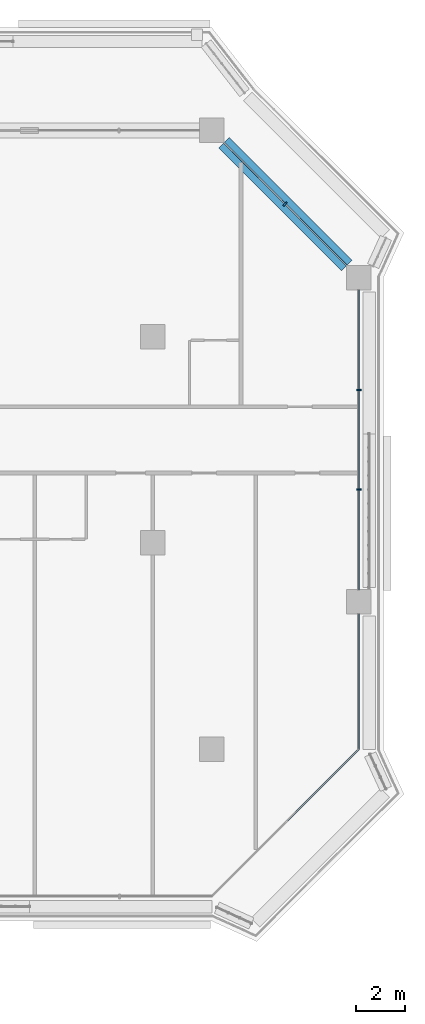
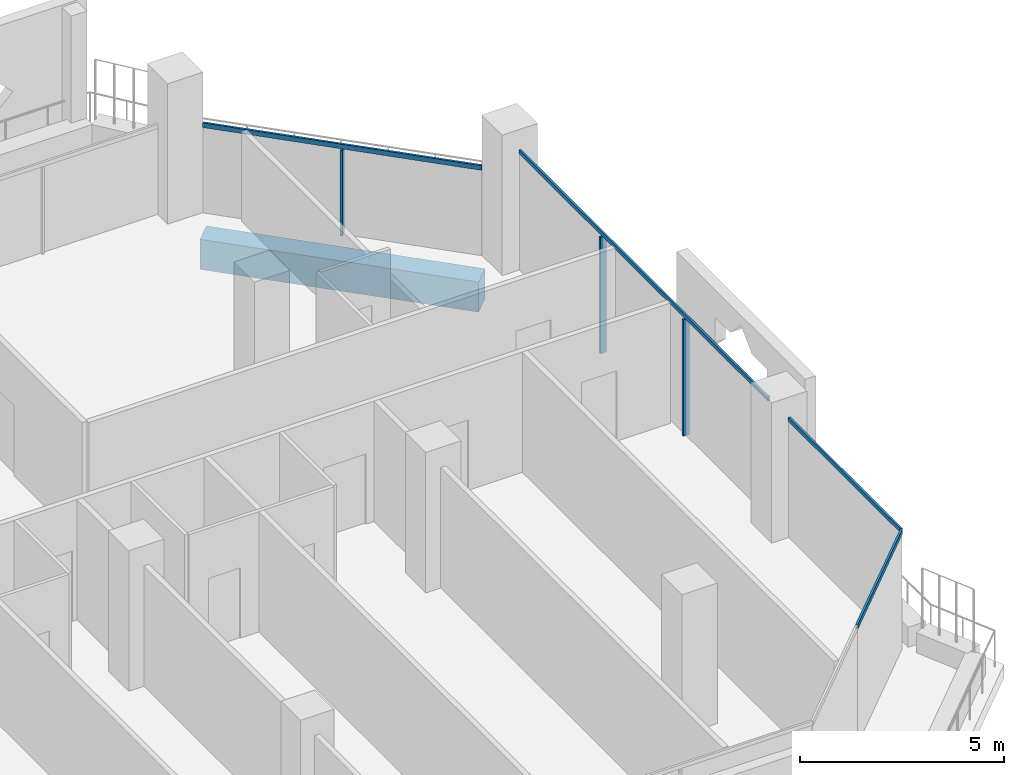
# One storey, part 7 of 21: 7 members, 1 beam, 3 elements without a shape of their own.
"""IFC4 building model written with IfcOpenShell, lengths in metres."""

from ifc_helpers import new_model, si_unit, direction, frame, origin, origin_2d, place, context, subcontext, project, spatial, rectangle, extrude, material, layer, layer_set, material_profile, profile_set, type_object, element, aggregate, save


model = new_model("IFC4")

# Units and contexts
model_context = context("Model", 3, precision=1e-05, world=origin(), true_north=direction((0.0, 1.0)))
body_context = subcontext(model_context, "Body", "Model", "MODEL_VIEW")
ifc_project = project(units=[si_unit("LENGTHUNIT", "METRE"), si_unit("AREAUNIT", "SQUARE_METRE"), si_unit("VOLUMEUNIT", "CUBIC_METRE"), si_unit("PLANEANGLEUNIT", "RADIAN"), si_unit("MASSUNIT", "GRAM", prefix="KILO")], contexts=[model_context])

# Site, building, storey
site_placement = place(None, origin())
site = spatial("IfcSite", under=ifc_project, at=site_placement, CompositionType="ELEMENT")
building_placement = place(site_placement, origin())
building = spatial("IfcBuilding", under=site, at=building_placement, Name="Kawkab Arch Medical Tower", CompositionType="ELEMENT")
storey_placement = place(building_placement, frame((0.0, 0.0, 192.0)))
storey = spatial("IfcBuildingStorey", under=building, at=storey_placement, Name="L44", CompositionType="ELEMENT", Elevation=192.0)

# Curtain wall, members
ifc_material_1 = material(Name="Bronze anodised aluminium curtain wall frame", Category="aluminium")
ifc_layer_1 = layer(ifc_material_1, 0.159912109375)
ifc_layer_set_1 = layer_set([ifc_layer_1], Name="Bronze anodised aluminium curtain wall frame")
curtain_wall_type_1 = type_object("IfcCurtainWallType", Name="CW1 ward curtain wall", PredefinedType="NOTDEFINED", material=ifc_layer_set_1)
placement = place(storey_placement, origin())
curtain_wall_1 = element("IfcCurtainWall", 1, at=placement, inside=storey, type_object=curtain_wall_type_1, Name="CW1 Ward curtain wall R09", PredefinedType="NOTDEFINED")
ifc_material_2 = material(Name="Bronze anodised aluminium curtain wall frame", Category="aluminium")
ifc_material_profile_1 = material_profile(ifc_material_2, rectangle(XDim=0.179931640625, YDim=0.06005859375, at=origin_2d()), Name="AL 60x180")
ifc_profile_set_1 = profile_set([ifc_material_profile_1], Name="Bronze anodised aluminium curtain wall frame")
member_type_1 = type_object("IfcMemberType", Name="CW1 mullion 60 x 180", PredefinedType="MULLION", material=ifc_profile_set_1)
member_1_placement = place(storey_placement, frame((67.199951171875, -14.63330078125, 0.0), z_axis=(0.0, 0.0, 1.0), x_axis=(-1.0, 0.0, 0.0)))
member_1 = element("IfcMember", 2, at=member_1_placement, type_object=member_type_1, Name="CW1 mullion 2.1", PredefinedType="MULLION", context=body_context, shape_type="SweptSolid", body=[
    extrude(rectangle(XDim=0.179931640625, YDim=0.06005859375, at=origin_2d()), origin(), (0.0, 0.0, 1.0), 3.47998046875),
])
member_2_placement = place(storey_placement, frame((67.199951171875, -10.566650390625, 0.0), z_axis=(0.0, 0.0, 1.0), x_axis=(-1.0, 0.0, 0.0)))
member_2 = element("IfcMember", 3, at=member_2_placement, type_object=member_type_1, Name="CW1 mullion 2.2", PredefinedType="MULLION", context=body_context, shape_type="SweptSolid", body=[
    extrude(rectangle(XDim=0.179931640625, YDim=0.06005859375, at=origin_2d()), origin(), (0.0, 0.0, 1.0), 3.47998046875),
])
ifc_material_3 = material(Name="Bronze anodised aluminium curtain wall frame", Category="aluminium")
ifc_material_profile_2 = material_profile(ifc_material_3, rectangle(XDim=0.06005859375, YDim=0.1201171875, at=origin_2d()), Name="AL 60x120")
ifc_profile_set_2 = profile_set([ifc_material_profile_2], Name="Bronze anodised aluminium curtain wall frame")
member_type_2 = type_object("IfcMemberType", Name="CW1 transom 120 x 60", PredefinedType="USERDEFINED", material=ifc_profile_set_2)
member_3_placement = place(storey_placement, frame((67.199951171875, -25.199951171875, 3.5400390625), z_axis=(0.0, 1.0, 0.0), x_axis=(-1.0, 0.0, 0.0)))
member_3 = element("IfcMember", 4, at=member_3_placement, type_object=member_type_2, Name="CW1 transom 1", ObjectType="TRANSOM", PredefinedType="USERDEFINED", context=body_context, shape_type="SweptSolid", body=[
    extrude(rectangle(XDim=0.06005859375, YDim=0.1201171875, at=origin_2d()), origin(), (0.0, 0.0, 1.0), 5.5),
])
member_4_placement = place(storey_placement, frame((67.199951171875, -18.699951171875, 3.5400390625), z_axis=(0.0, 1.0, 0.0), x_axis=(-1.0, 0.0, 0.0)))
member_4 = element("IfcMember", 5, at=member_4_placement, type_object=member_type_2, Name="CW1 transom 2", ObjectType="TRANSOM", PredefinedType="USERDEFINED", context=body_context, shape_type="SweptSolid", body=[
    extrude(rectangle(XDim=0.06005859375, YDim=0.1201171875, at=origin_2d()), origin(), (0.0, 0.0, 1.0), 12.199951171875),
])
aggregate(curtain_wall_1, [member_3, member_4, member_1, member_2])

# Curtain wall, member
ifc_material_4 = material(Name="Bronze anodised aluminium curtain wall frame", Category="aluminium")
ifc_layer_2 = layer(ifc_material_4, 0.159912109375)
ifc_layer_set_2 = layer_set([ifc_layer_2], Name="Bronze anodised aluminium curtain wall frame")
curtain_wall_type_2 = type_object("IfcCurtainWallType", Name="CW2 chamfer curtain wall", PredefinedType="NOTDEFINED", material=ifc_layer_set_2)
curtain_wall_2 = element("IfcCurtainWall", 6, at=placement, inside=storey, type_object=curtain_wall_type_2, Name="CW2 Chamfer curtain wall R10", PredefinedType="NOTDEFINED")
ifc_material_5 = material(Name="Bronze anodised aluminium curtain wall frame", Category="aluminium")
ifc_material_profile_3 = material_profile(ifc_material_5, rectangle(XDim=0.199951171875, YDim=0.06005859375, at=origin_2d()), Name="AL 60x200")
ifc_profile_set_3 = profile_set([ifc_material_profile_3], Name="Bronze anodised aluminium curtain wall frame")
member_type_3 = type_object("IfcMemberType", Name="CW2 mullion 60 x 200", PredefinedType="MULLION", material=ifc_profile_set_3)
member_5_placement = place(storey_placement, frame((64.199951171875, -3.0, 0.0), z_axis=(0.0, 0.0, 1.0), x_axis=(-0.707106781187, -0.707106781187, 0.0)))
member_5 = element("IfcMember", 7, at=member_5_placement, type_object=member_type_3, Name="CW2 mullion 1.1", PredefinedType="MULLION", context=body_context, shape_type="SweptSolid", body=[
    extrude(rectangle(XDim=0.199951171875, YDim=0.06005859375, at=origin_2d()), origin(), (0.0, 0.0, 1.0), 2.56005859375),
])

curtain_wall_3 = element("IfcCurtainWall", 8, at=placement, inside=storey, type_object=curtain_wall_type_2, Name="CW2 Chamfer curtain wall R08", PredefinedType="NOTDEFINED")
ifc_material_6 = material(Name="Bronze anodised aluminium curtain wall frame", Category="aluminium")
ifc_material_profile_4 = material_profile(ifc_material_6, rectangle(XDim=0.06005859375, YDim=0.139892578125, at=origin_2d()), Name="AL 60x140")
ifc_profile_set_4 = profile_set([ifc_material_profile_4], Name="Bronze anodised aluminium curtain wall frame")
member_type_4 = type_object("IfcMemberType", Name="CW2 transom 140 x 60", PredefinedType="USERDEFINED", material=ifc_profile_set_4)
member_6_placement = place(storey_placement, frame((64.199951171875, -28.199951171875, 3.530029296875), z_axis=(0.707106781187, 0.707106781187, 0.0), x_axis=(-0.707106781187, 0.707106781187, 0.0)))
member_6 = element("IfcMember", 9, at=member_6_placement, type_object=member_type_4, Name="CW2 transom 2", ObjectType="TRANSOM", PredefinedType="USERDEFINED", context=body_context, shape_type="SweptSolid", body=[
    extrude(rectangle(XDim=0.06005859375, YDim=0.139892578125, at=origin_2d()), origin(), (0.0, 0.0, 1.0), 4.24267578125),
])
aggregate(curtain_wall_3, [member_6])

# Member
member_7_placement = place(storey_placement, frame((66.699951171875, -5.5, 2.6298828125), z_axis=(-0.707106781187, 0.707106781187, 0.0), x_axis=(-0.707106781187, -0.707106781187, 0.0)))
member_7 = element("IfcMember", 10, at=member_7_placement, type_object=member_type_4, Name="CW2 transom 1", ObjectType="TRANSOM", PredefinedType="USERDEFINED", context=body_context, shape_type="SweptSolid", body=[
    extrude(rectangle(XDim=0.06005859375, YDim=0.139892578125, at=origin_2d()), origin(), (0.0, 0.0, 1.0), 7.071044921875),
])

aggregate(curtain_wall_2, [member_7, member_5])

# Beam
ifc_material_7 = material(Name="Concrete C50/60", Category="concrete")
ifc_material_profile_5 = material_profile(ifc_material_7, rectangle(XDim=0.60009765625, YDim=0.89990234375, at=origin_2d()), Name="RC 600x900")
ifc_profile_set_5 = profile_set([ifc_material_profile_5], Name="Concrete C50/60")
beam_type = type_object("IfcBeamType", Name="RC 600x900 beam C50/60", PredefinedType="BEAM", material=ifc_profile_set_5)
beam_placement = place(storey_placement, frame((61.699951171875, -0.5, -1.050048828125), z_axis=(0.707106781187, -0.707106781187, 0.0), x_axis=(0.707106781187, 0.707106781187, 0.0)))
element("IfcBeam", 11, at=beam_placement, inside=storey, type_object=beam_type, Name="Overhang edge beam L44-08", PredefinedType="BEAM", context=body_context, shape_type="SweptSolid", body=[
    extrude(rectangle(XDim=0.60009765625, YDim=0.89990234375, at=origin_2d()), origin(), (0.0, 0.0, 1.0), 7.071044921875),
])

save(model, "model.ifc")
